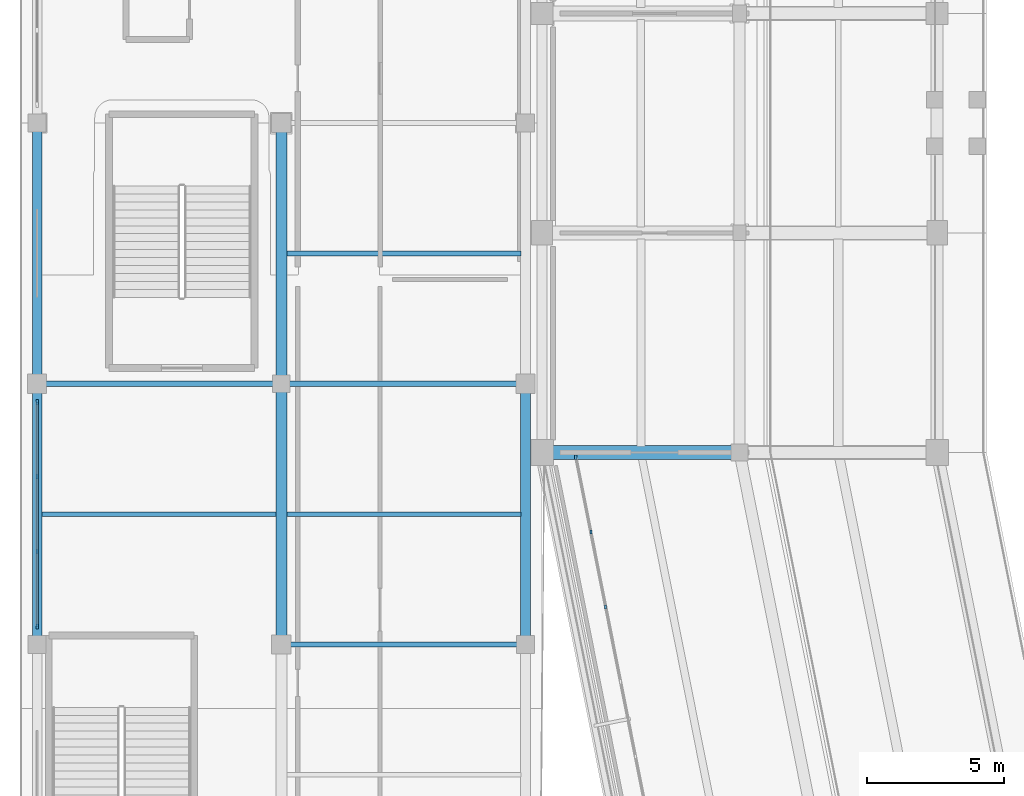
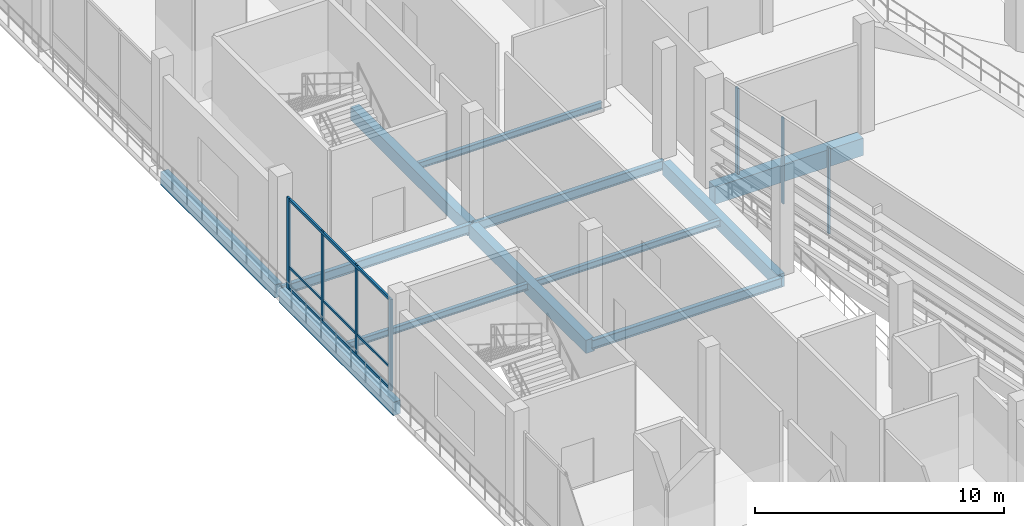
# One storey, part 25 of 127: 12 beams, 10 members, 2 elements without a shape of their own.
"""IFC4 building model written with IfcOpenShell, lengths in metres."""

from ifc_helpers import new_model, si_unit, direction, frame, origin, origin_2d, place, context, subcontext, project, spatial, rectangle, i_section, extrude, material, material_profile, profile_set, type_object, element, aggregate, save


model = new_model("IFC4")

# Units and contexts
model_context = context("Model", 3, precision=1e-05, world=origin(), true_north=direction((0.0, 1.0)))
body_context = subcontext(model_context, "Body", "Model", "MODEL_VIEW")
ifc_project = project(units=[si_unit("LENGTHUNIT", "METRE"), si_unit("AREAUNIT", "SQUARE_METRE"), si_unit("VOLUMEUNIT", "CUBIC_METRE"), si_unit("PLANEANGLEUNIT", "RADIAN"), si_unit("MASSUNIT", "GRAM", prefix="KILO")], contexts=[model_context])

# Site, building, storey
site_placement = place(None, origin())
site = spatial("IfcSite", under=ifc_project, at=site_placement, CompositionType="ELEMENT")
building_placement = place(site_placement, origin())
building = spatial("IfcBuilding", under=site, at=building_placement, Name="Candeia Ridge Stadium", CompositionType="ELEMENT")
storey_placement = place(building_placement, frame((0.0, 0.0, 10.800048828125)))
storey = spatial("IfcBuildingStorey", under=building, at=storey_placement, Name="L02", CompositionType="ELEMENT", Elevation=10.800048828125)

# Curtain wall, member
ifc_material_1 = material(Name="Aluminium Anodized Warm Bronze", Category="aluminium")
curtain_wall_type_1 = type_object("IfcCurtainWallType", Name="Concourse Recessed Unitised Curtain Wall", PredefinedType="NOTDEFINED", material=ifc_material_1)
curtain_wall_1_placement = place(storey_placement, origin())
curtain_wall_1 = element("IfcCurtainWall", 1, at=curtain_wall_1_placement, inside=storey, type_object=curtain_wall_type_1, Name="Unitised curtain wall CW-BWL-L02-14", PredefinedType="NOTDEFINED")
ifc_material_profile_1 = material_profile(ifc_material_1, rectangle(XDim=0.090087890625, YDim=0.179931640625, at=origin_2d()), Name="CWM-90x180", Category="aluminium")
ifc_profile_set_1 = profile_set([ifc_material_profile_1], Name="Aluminium Anodized Warm Bronze")
member_type_1 = type_object("IfcMemberType", Name="Curtain Wall Primary Mullion 90x180", PredefinedType="MULLION", material=ifc_profile_set_1)
member_1_placement = place(storey_placement, frame((20.235107421875, 70.823486328125, 0.0), z_axis=(0.0, 0.0, 1.0), x_axis=(1.0, 0.0, 0.0)))
member_1 = element("IfcMember", 2, at=member_1_placement, type_object=member_type_1, Name="Curtain wall mullion CW-BWL-L02-14-M0", PredefinedType="MULLION", context=body_context, shape_type="SweptSolid", body=[
    extrude(rectangle(XDim=0.090087890625, YDim=0.179931640625, at=origin_2d()), origin(), (0.0, 0.0, 1.0), 4.21484375),
])

# Curtain wall, members
curtain_wall_type_2 = type_object("IfcCurtainWallType", Name="Cardinal Entrance Gate Tall Glazed Curtain Wall", PredefinedType="NOTDEFINED", material=ifc_material_1)
curtain_wall_2_placement = place(storey_placement, origin())
curtain_wall_2 = element("IfcCurtainWall", 3, at=curtain_wall_2_placement, inside=storey, type_object=curtain_wall_type_2, Name="Unitised curtain wall CW-WNG-L02-083", PredefinedType="NOTDEFINED")
member_2_placement = place(storey_placement, frame((0.60009765625, 64.659912109375, 0.0), z_axis=(0.0, 0.0, 1.0), x_axis=(1.0, 0.0, 0.0)))
member_2 = element("IfcMember", 4, at=member_2_placement, type_object=member_type_1, Name="Curtain wall mullion CW-WNG-L02-083-M0", PredefinedType="MULLION", context=body_context, shape_type="SweptSolid", body=[
    extrude(rectangle(XDim=0.090087890625, YDim=0.179931640625, at=origin_2d()), origin(), (0.0, 0.0, 1.0), 4.48486328125),
])
member_3_placement = place(storey_placement, frame((0.60009765625, 72.840087890625, 0.0), z_axis=(0.0, 0.0, 1.0), x_axis=(1.0, 0.0, 0.0)))
member_3 = element("IfcMember", 5, at=member_3_placement, type_object=member_type_1, Name="Curtain wall mullion CW-WNG-L02-083-M3", PredefinedType="MULLION", context=body_context, shape_type="SweptSolid", body=[
    extrude(rectangle(XDim=0.090087890625, YDim=0.179931640625, at=origin_2d()), origin(), (0.0, 0.0, 1.0), 4.48486328125),
])

# Member
ifc_material_profile_2 = material_profile(ifc_material_1, rectangle(XDim=0.074951171875, YDim=0.14990234375, at=origin_2d()), Name="CWM-75x150", Category="aluminium")
ifc_profile_set_2 = profile_set([ifc_material_profile_2], Name="Aluminium Anodized Warm Bronze")
member_type_2 = type_object("IfcMemberType", Name="Curtain Wall Secondary Mullion 75x150", PredefinedType="MULLION", material=ifc_profile_set_2)
member_4_placement = place(storey_placement, frame((20.777587890625, 68.0966796875, 0.0), z_axis=(0.0, 0.0, 1.0), x_axis=(1.0, 0.0, 0.0)))
member_4 = element("IfcMember", 6, at=member_4_placement, type_object=member_type_2, Name="Curtain wall mullion CW-BWL-L02-14-M1", PredefinedType="MULLION", context=body_context, shape_type="SweptSolid", body=[
    extrude(rectangle(XDim=0.074951171875, YDim=0.14990234375, at=origin_2d()), origin(), (0.0, 0.0, 1.0), 4.21484375),
])

member_5_placement = place(storey_placement, frame((21.31982421875, 65.3701171875, 0.0), z_axis=(0.0, 0.0, 1.0), x_axis=(1.0, 0.0, 0.0)))
member_5 = element("IfcMember", 7, at=member_5_placement, type_object=member_type_2, Name="Curtain wall mullion CW-BWL-L02-14-M2", PredefinedType="MULLION", context=body_context, shape_type="SweptSolid", body=[
    extrude(rectangle(XDim=0.074951171875, YDim=0.14990234375, at=origin_2d()), origin(), (0.0, 0.0, 1.0), 4.21484375),
])

aggregate(curtain_wall_1, [member_1, member_4, member_5])

member_6_placement = place(storey_placement, frame((0.60009765625, 67.38671875, 0.0), z_axis=(0.0, 0.0, 1.0), x_axis=(1.0, 0.0, 0.0)))
member_6 = element("IfcMember", 8, at=member_6_placement, type_object=member_type_2, Name="Curtain wall mullion CW-WNG-L02-083-M1", PredefinedType="MULLION", context=body_context, shape_type="SweptSolid", body=[
    extrude(rectangle(XDim=0.074951171875, YDim=0.14990234375, at=origin_2d()), origin(), (0.0, 0.0, 1.0), 4.48486328125),
])

member_7_placement = place(storey_placement, frame((0.60009765625, 70.11328125, 0.0), z_axis=(0.0, 0.0, 1.0), x_axis=(1.0, 0.0, 0.0)))
member_7 = element("IfcMember", 9, at=member_7_placement, type_object=member_type_2, Name="Curtain wall mullion CW-WNG-L02-083-M2", PredefinedType="MULLION", context=body_context, shape_type="SweptSolid", body=[
    extrude(rectangle(XDim=0.074951171875, YDim=0.14990234375, at=origin_2d()), origin(), (0.0, 0.0, 1.0), 4.48486328125),
])

ifc_material_profile_3 = material_profile(ifc_material_1, rectangle(XDim=0.074951171875, YDim=0.110107421875, at=origin_2d()), Name="CWT-75x110", Category="aluminium")
ifc_profile_set_3 = profile_set([ifc_material_profile_3], Name="Aluminium Anodized Warm Bronze")
member_type_3 = type_object("IfcMemberType", Name="Curtain Wall Secondary Transom 75x110", PredefinedType="USERDEFINED", material=ifc_profile_set_3)
member_8_placement = place(storey_placement, frame((0.60009765625, 64.659912109375, 1.099853515625), z_axis=(0.0, 1.0, 0.0), x_axis=(-1.0, 0.0, 0.0)))
member_8 = element("IfcMember", 10, at=member_8_placement, type_object=member_type_3, Name="Curtain wall transom CW-WNG-L02-083-T1", ObjectType="TRANSOM", PredefinedType="USERDEFINED", context=body_context, shape_type="SweptSolid", body=[
    extrude(rectangle(XDim=0.074951171875, YDim=0.110107421875, at=origin_2d()), origin(), (0.0, 0.0, 1.0), 8.18017578125),
])

ifc_material_profile_4 = material_profile(ifc_material_1, rectangle(XDim=0.090087890625, YDim=0.139892578125, at=origin_2d()), Name="CWT-90x140", Category="aluminium")
ifc_profile_set_4 = profile_set([ifc_material_profile_4], Name="Aluminium Anodized Warm Bronze")
member_type_4 = type_object("IfcMemberType", Name="Curtain Wall Transom 90x140", PredefinedType="USERDEFINED", material=ifc_profile_set_4)
member_9_placement = place(storey_placement, frame((0.60009765625, 64.659912109375, 0.070068359375), z_axis=(0.0, 1.0, 0.0), x_axis=(-1.0, 0.0, 0.0)))
member_9 = element("IfcMember", 11, at=member_9_placement, type_object=member_type_4, Name="Curtain wall transom CW-WNG-L02-083-T0", ObjectType="TRANSOM", PredefinedType="USERDEFINED", context=body_context, shape_type="SweptSolid", body=[
    extrude(rectangle(XDim=0.090087890625, YDim=0.139892578125, at=origin_2d()), origin(), (0.0, 0.0, 1.0), 8.18017578125),
])

member_10_placement = place(storey_placement, frame((0.60009765625, 64.659912109375, 4.4150390625), z_axis=(0.0, 1.0, 0.0), x_axis=(-1.0, 0.0, 0.0)))
member_10 = element("IfcMember", 12, at=member_10_placement, type_object=member_type_4, Name="Curtain wall transom CW-WNG-L02-083-T2", ObjectType="TRANSOM", PredefinedType="USERDEFINED", context=body_context, shape_type="SweptSolid", body=[
    extrude(rectangle(XDim=0.090087890625, YDim=0.139892578125, at=origin_2d()), origin(), (0.0, 0.0, 1.0), 8.18017578125),
])

aggregate(curtain_wall_2, [member_2, member_6, member_7, member_3, member_9, member_8, member_10])

# Beams
ifc_material_2 = material(Name="Concrete C45/55", Category="concrete")
ifc_material_profile_5 = material_profile(ifc_material_2, rectangle(XDim=0.5, YDim=0.85009765625, at=origin_2d()), Name="RC500x850", Category="concrete")
ifc_profile_set_5 = profile_set([ifc_material_profile_5], Name="Concrete C45/55")
beam_type_1 = type_object("IfcBeamType", Name="Frame Girder RC500x850", PredefinedType="BEAM", material=ifc_profile_set_5)
beam_placement = place(storey_placement, frame((26.0400390625, 71.0, -0.68505859375), z_axis=(-1.0, 0.0, 0.0), x_axis=(0.0, -1.0, 0.0)))
element("IfcBeam", 13, at=beam_placement, inside=storey, type_object=beam_type_1, Name="Bowl radial girder BM-L02-0270", PredefinedType="BEAM", context=body_context, shape_type="SweptSolid", body=[
    extrude(rectangle(XDim=0.5, YDim=0.85009765625, at=origin_2d()), origin(), (0.0, 0.0, 1.0), 6.880126953125),
])
ifc_material_3 = material(Name="Steel ASTM A572 Grade 50", Category="steel")
ifc_material_profile_6 = material_profile(ifc_material_3, i_section(OverallWidth=0.1669921875, OverallDepth=0.31689453125, WebThickness=0.007568359375, FlangeThickness=0.01318359375, FilletRadius=0.011962890625, at=origin_2d()), Name="W310x52", Category="steel")
ifc_profile_set_6 = profile_set([ifc_material_profile_6], Name="Steel ASTM A572 Grade 50")
beam_type_2 = type_object("IfcBeamType", Name="Pavilion Secondary Joist W310x52", PredefinedType="JOIST", material=ifc_profile_set_6)
for number, where, z_axis, x_axis, name in (
    (14, (0.7744140625, 68.75, -0.41845703125), (1.0, 0.0, 0.0), (0.0, 1.0, 0.0), "Wing secondary joist BM-L02-1159"),
    (15, (9.699462890625, 68.75, -0.41845703125), (1.0, 0.0, 0.0), (0.0, 1.0, 0.0), "Wing secondary joist BM-L02-1179"),
    (16, (9.699462890625, 78.25, -0.41845703125), (1.0, 0.0, 0.0), (0.0, 1.0, 0.0), "Wing secondary joist BM-L02-1181"),
):
    element("IfcBeam", number, at=place(storey_placement, frame(where, z_axis=z_axis, x_axis=x_axis)), inside=storey, type_object=beam_type_2, Name=name, PredefinedType="JOIST", context=body_context, shape_type="SweptSolid", body=[
        extrude(i_section(OverallWidth=0.1669921875, OverallDepth=0.31689453125, WebThickness=0.007568359375, FlangeThickness=0.01318359375, FilletRadius=0.011962890625, at=origin_2d()), origin(), (0.0, 0.0, 1.0), 8.526123046875),
    ])
ifc_material_profile_7 = material_profile(ifc_material_3, i_section(OverallWidth=0.18994140625, OverallDepth=0.45703125, WebThickness=0.009033203125, FlangeThickness=0.014404296875, FilletRadius=0.012939453125, at=origin_2d()), Name="W460x74", Category="steel")
ifc_profile_set_7 = profile_set([ifc_material_profile_7], Name="Steel ASTM A572 Grade 50")
beam_type_3 = type_object("IfcBeamType", Name="Pavilion Steel Girder W460x74", PredefinedType="BEAM", material=ifc_profile_set_7)
for number, where, z_axis, x_axis, name in (
    (17, (0.64990234375, 73.5, -0.488525390625), (1.0, 0.0, 0.0), (0.0, 1.0, 0.0), "Structural girder BM-L02-1160"),
    (18, (9.550048828125, 64.0, -0.488525390625), (1.0, 0.0, 0.0), (0.0, 1.0, 0.0), "Structural girder BM-L02-1178"),
    (19, (9.550048828125, 73.5, -0.488525390625), (1.0, 0.0, 0.0), (0.0, 1.0, 0.0), "Structural girder BM-L02-1180"),
):
    element("IfcBeam", number, at=place(storey_placement, frame(where, z_axis=z_axis, x_axis=x_axis)), inside=storey, type_object=beam_type_3, Name=name, PredefinedType="BEAM", context=body_context, shape_type="SweptSolid", body=[
        extrude(i_section(OverallWidth=0.18994140625, OverallDepth=0.45703125, WebThickness=0.009033203125, FlangeThickness=0.014404296875, FilletRadius=0.012939453125, at=origin_2d()), origin(), (0.0, 0.0, 1.0), 8.800048828125),
    ])
ifc_material_4 = material(Name="Concrete C40/50", Category="concrete")
ifc_material_profile_8 = material_profile(ifc_material_4, rectangle(XDim=0.35009765625, YDim=0.64990234375, at=origin_2d()), Name="RC350x650", Category="concrete")
ifc_profile_set_8 = profile_set([ifc_material_profile_8], Name="Concrete C40/50")
beam_type_4 = type_object("IfcBeamType", Name="Spandrel Beam RC350x650", PredefinedType="SPANDREL", material=ifc_profile_set_8)
for number, where, z_axis, x_axis, name in (
    (20, (0.60009765625, 64.159912109375, -0.5849609375), (0.0, 1.0, 0.0), (-1.0, 0.0, 0.0), "Structural girder BM-L02-1118"),
    (21, (0.60009765625, 73.659912109375, -0.5849609375), (0.0, 1.0, 0.0), (-1.0, 0.0, 0.0), "Structural girder BM-L02-1119"),
    (22, (18.39990234375, 64.159912109375, -0.5849609375), (0.0, 1.0, 0.0), (-1.0, 0.0, 0.0), "Structural girder BM-L02-1143"),
):
    element("IfcBeam", number, at=place(storey_placement, frame(where, z_axis=z_axis, x_axis=x_axis)), inside=storey, type_object=beam_type_4, Name=name, PredefinedType="SPANDREL", context=body_context, shape_type="SweptSolid", body=[
        extrude(rectangle(XDim=0.35009765625, YDim=0.64990234375, at=origin_2d()), origin(), (0.0, 0.0, 1.0), 9.18017578125),
    ])
ifc_material_profile_9 = material_profile(ifc_material_4, rectangle(XDim=0.39990234375, YDim=0.64990234375, at=origin_2d()), Name="RC400x650", Category="concrete")
ifc_profile_set_9 = profile_set([ifc_material_profile_9], Name="Concrete C40/50")
beam_type_5 = type_object("IfcBeamType", Name="Wing Primary Girder RC400x650", PredefinedType="BEAM", material=ifc_profile_set_9)
for number, where, z_axis, x_axis, name in (
    (23, (9.5, 64.050048828125, -0.5849609375), (0.0, 1.0, 0.0), (-1.0, 0.0, 0.0), "Structural girder BM-L02-1132"),
    (24, (9.5, 73.550048828125, -0.5849609375), (0.0, 1.0, 0.0), (-1.0, 0.0, 0.0), "Structural girder BM-L02-1133"),
):
    element("IfcBeam", number, at=place(storey_placement, frame(where, z_axis=z_axis, x_axis=x_axis)), inside=storey, type_object=beam_type_5, Name=name, PredefinedType="BEAM", context=body_context, shape_type="SweptSolid", body=[
        extrude(rectangle(XDim=0.39990234375, YDim=0.64990234375, at=origin_2d()), origin(), (0.0, 0.0, 1.0), 9.39990234375),
    ])

save(model, "model.ifc")
